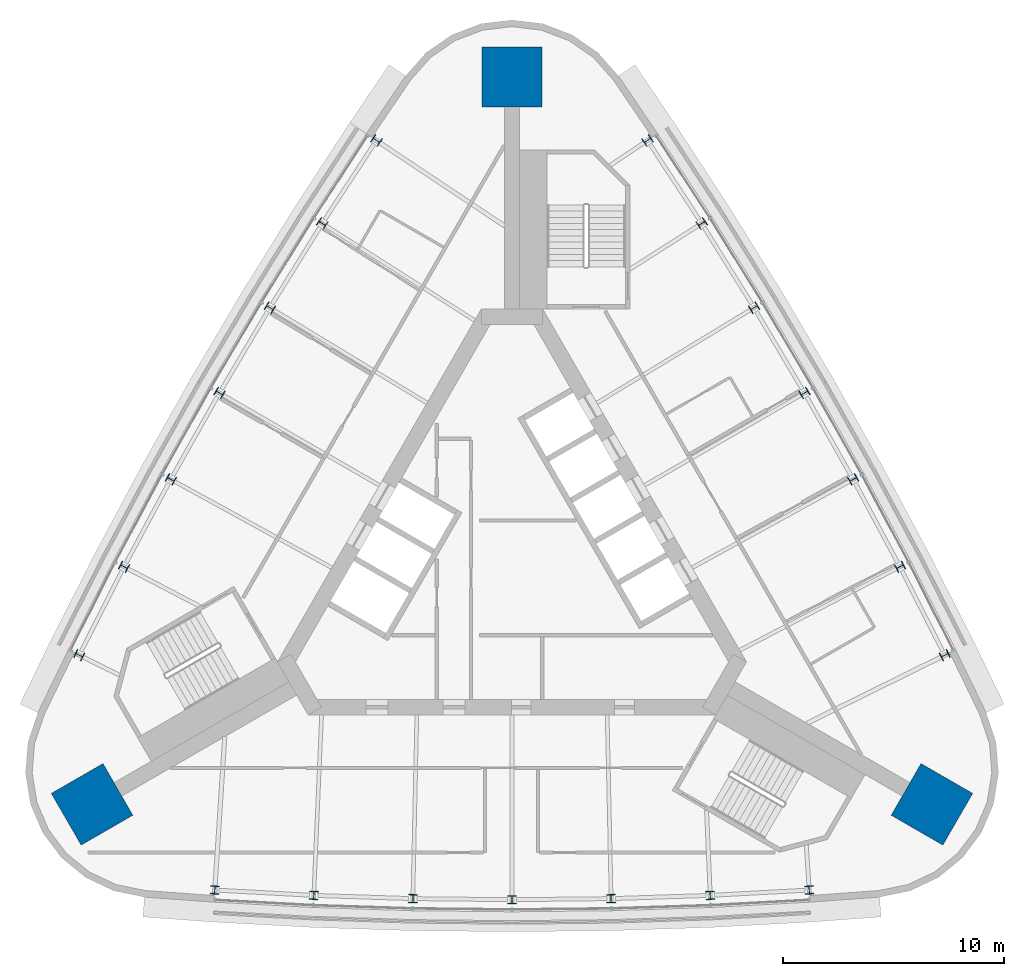
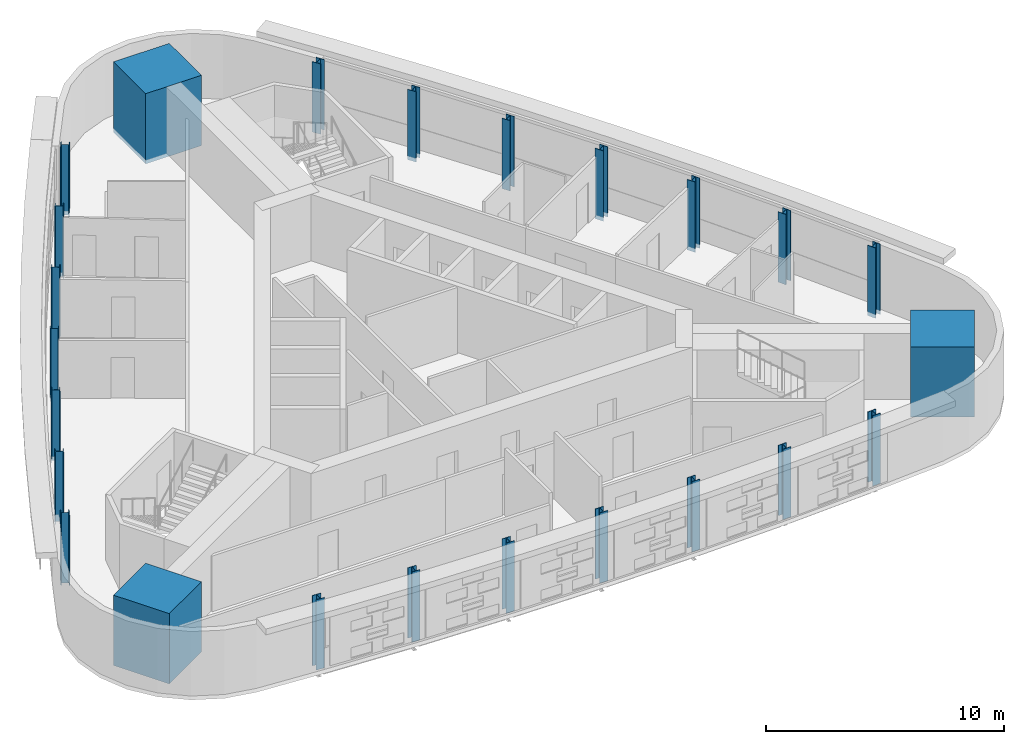
# One storey, part 1 of 10: 24 columns.
"""IFC4 building model written with IfcOpenShell, lengths in metres."""

from ifc_helpers import new_model, si_unit, direction, frame, origin, origin_2d, place, context, subcontext, project, spatial, rectangle, i_section, extrude, material, material_profile, profile_set, type_object, element, save


model = new_model("IFC4")

# Units and contexts
model_context = context("Model", 3, precision=1e-05, world=origin(), true_north=direction((0.0, 1.0)))
body_context = subcontext(model_context, "Body", "Model", "MODEL_VIEW")
ifc_project = project(units=[si_unit("LENGTHUNIT", "METRE"), si_unit("AREAUNIT", "SQUARE_METRE"), si_unit("VOLUMEUNIT", "CUBIC_METRE"), si_unit("PLANEANGLEUNIT", "RADIAN"), si_unit("MASSUNIT", "GRAM", prefix="KILO")], contexts=[model_context])

# Site, building, storey
site_placement = place(None, origin())
site = spatial("IfcSite", under=ifc_project, at=site_placement, CompositionType="ELEMENT")
building_placement = place(site_placement, origin())
building = spatial("IfcBuilding", under=site, at=building_placement, Name="Noor Cloister Tower", CompositionType="ELEMENT")
storey_placement = place(building_placement, frame((0.0, 0.0, 199.5)))
storey = spatial("IfcBuildingStorey", under=building, at=storey_placement, Name="L51", CompositionType="ELEMENT", Elevation=199.5)

# Columns
ifc_material_1 = material(Name="Steel ASTM A992 Gr 50", Category="steel")
ifc_material_profile_1 = material_profile(ifc_material_1, i_section(OverallWidth=0.39404296875, OverallDepth=0.3759765625, WebThickness=0.017333984375, FlangeThickness=0.027587890625, FilletRadius=0.01513671875, at=origin_2d()), Name="W360x216")
ifc_profile_set_1 = profile_set([ifc_material_profile_1], Name="Steel ASTM A992 Gr 50")
column_type_1 = type_object("IfcColumnType", Name="Column W360x216", PredefinedType="COLUMN", material=ifc_profile_set_1)
for number, where, z_axis, x_axis, name in (
    (1, (-6.1376953125, 19.079833984375, -0.199951171875), (0.0, 0.0, 1.0), (-0.555130311688, -0.83176339006, 0.0), "Column NW 01 L51"),
    (2, (-8.588623046875, 15.320068359375, -0.199951171875), (0.0, 0.0, 1.0), (-0.537002141475, -0.843580879377, 0.0), "Column NW 02 L51"),
    (3, (-10.95751953125, 11.50830078125, -0.199951171875), (0.0, 0.0, 1.0), (-0.518622501946, -0.855003333605, 0.0), "Column NW 03 L51"),
    (4, (-13.243408203125, 7.64599609375, -0.199951171875), (0.0, 0.0, 1.0), (-0.5, -0.866025403784, 0.0), "Column NW 04 L51"),
    (5, (-15.4453125, 3.7353515625, -0.199951171875), (0.0, 0.0, 1.0), (-0.481143356249, -0.876641928462, 0.0), "Column NW 05 L51"),
    (6, (-17.56201171875, -0.22216796875, -0.199951171875), (0.0, 0.0, 1.0), (-0.46206140095, -0.886847936093, 0.0), "Column NW 06 L51"),
    (7, (-19.592529296875, -4.224609375, -0.199951171875), (0.0, 0.0, 1.0), (-0.442763069886, -0.896638647363, 0.0), "Column NW 07 L51"),
    (8, (-13.454833984375, -14.855224609375, -0.199951171875), (0.0, 0.0, 1.0), (0.997893381574, -0.064875257303, 0.0), "Column S 01 L51"),
    (9, (-8.973388671875, -15.097900390625, -0.199951171875), (0.0, 0.0, 1.0), (0.999063542425, -0.043267056715, 0.0), "Column S 02 L51"),
    (10, (-4.48779296875, -15.24365234375, -0.199951171875), (0.0, 0.0, 1.0), (0.999765858195, -0.021638594857, 0.0), "Column S 03 L51"),
    (11, (0.0, -15.292236328125, -0.199951171875), (0.0, 0.0, 1.0), (1.0, 0.0, 0.0), "Column S 04 L51"),
    (12, (4.48779296875, -15.24365234375, -0.199951171875), (0.0, 0.0, 1.0), (0.999765858195, 0.021638594857, 0.0), "Column S 05 L51"),
    (13, (8.973388671875, -15.097900390625, -0.199951171875), (0.0, 0.0, 1.0), (0.999063542425, 0.043267056715, 0.0), "Column S 06 L51"),
    (14, (13.454833984375, -14.855224609375, -0.199951171875), (0.0, 0.0, 1.0), (0.997893381574, 0.064875257303, 0.0), "Column S 07 L51"),
    (15, (19.592529296875, -4.224609375, -0.199951171875), (0.0, 0.0, 1.0), (-0.442763069886, 0.896638647363, 0.0), "Column NE 01 L51"),
    (16, (17.56201171875, -0.22216796875, -0.199951171875), (0.0, 0.0, 1.0), (-0.46206140095, 0.886847936093, 0.0), "Column NE 02 L51"),
    (17, (15.4453125, 3.7353515625, -0.199951171875), (0.0, 0.0, 1.0), (-0.481143356249, 0.876641928462, 0.0), "Column NE 03 L51"),
    (18, (13.243408203125, 7.64599609375, -0.199951171875), (0.0, 0.0, 1.0), (-0.5, 0.866025403784, 0.0), "Column NE 04 L51"),
    (19, (10.95751953125, 11.50830078125, -0.199951171875), (0.0, 0.0, 1.0), (-0.518622501946, 0.855003333605, 0.0), "Column NE 05 L51"),
    (20, (8.588623046875, 15.320068359375, -0.199951171875), (0.0, 0.0, 1.0), (-0.537002141475, 0.843580879377, 0.0), "Column NE 06 L51"),
    (21, (6.1376953125, 19.079833984375, -0.199951171875), (0.0, 0.0, 1.0), (-0.555130311688, 0.83176339006, 0.0), "Column NE 07 L51"),
):
    element("IfcColumn", number, at=place(storey_placement, frame(where, z_axis=z_axis, x_axis=x_axis)), inside=storey, type_object=column_type_1, Name=name, PredefinedType="COLUMN", context=body_context, shape_type="SweptSolid", body=[
        extrude(i_section(OverallWidth=0.39404296875, OverallDepth=0.3759765625, WebThickness=0.017333984375, FlangeThickness=0.027587890625, FilletRadius=0.01513671875, at=origin_2d()), origin(), (0.0, 0.0, 1.0), 3.599853515625),
    ])
ifc_material_2 = material(Name="Concrete C70/85", Category="concrete")
ifc_material_profile_2 = material_profile(ifc_material_2, rectangle(XDim=2.699951171875, YDim=2.699951171875, at=origin_2d()), Name="RC 2700x2700")
ifc_profile_set_2 = profile_set([ifc_material_profile_2], Name="Concrete C70/85")
column_type_2 = type_object("IfcColumnType", Name="Corner pier 2700 x 2700 C70/85", PredefinedType="COLUMN", material=ifc_profile_set_2)
for number, where, z_axis, x_axis, name in (
    (22, (0.0, 21.950927734375, -0.199951171875), (0.0, 0.0, 1.0), (0.0, 1.0, 0.0), "Corner pier N L51"),
    (23, (-19.010009765625, -10.9755859375, -0.199951171875), (0.0, 0.0, 1.0), (-0.866025403784, -0.5, 0.0), "Corner pier SW L51"),
    (24, (19.010009765625, -10.9755859375, -0.199951171875), (0.0, 0.0, 1.0), (0.866025403784, -0.5, 0.0), "Corner pier SE L51"),
):
    element("IfcColumn", number, at=place(storey_placement, frame(where, z_axis=z_axis, x_axis=x_axis)), inside=storey, type_object=column_type_2, Name=name, PredefinedType="COLUMN", context=body_context, shape_type="SweptSolid", body=[
        extrude(rectangle(XDim=2.699951171875, YDim=2.699951171875, at=origin_2d()), origin(), (0.0, 0.0, 1.0), 3.599853515625),
    ])

save(model, "model.ifc")
